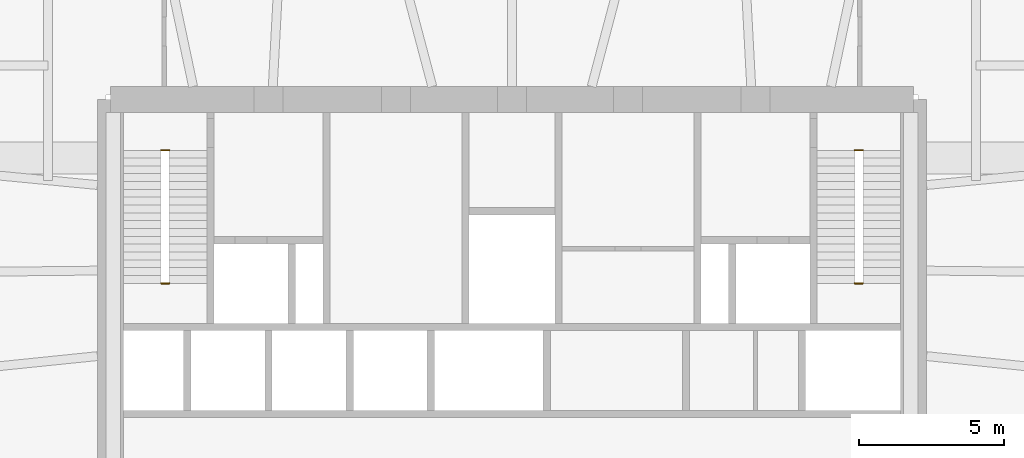
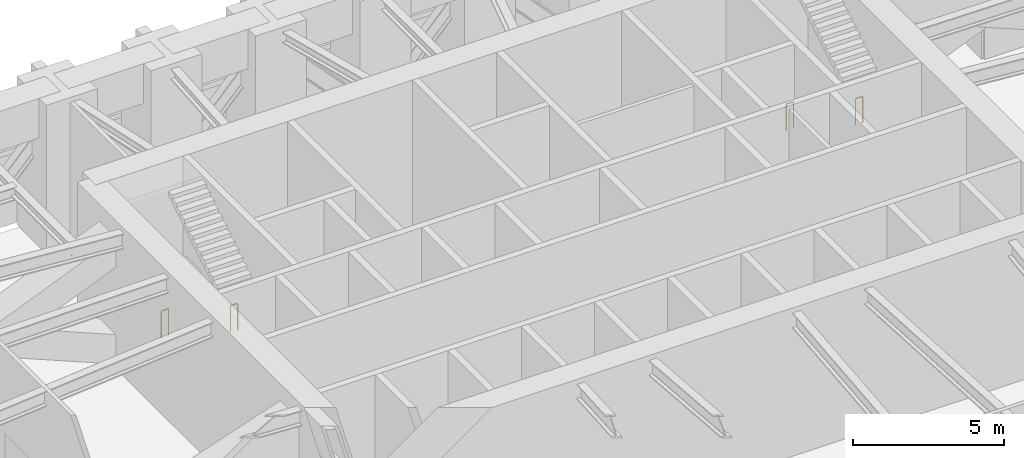
# One storey, part 9 of 9: 4 railings.
"""IFC4 building model written with IfcOpenShell, lengths in metres."""

from ifc_helpers import new_model, si_unit, direction, frame, origin, origin_2d, place, context, subcontext, project, spatial, circle, extrude, material, type_object, element, save


model = new_model("IFC4")

# Units and contexts
model_context = context("Model", 3, precision=1e-05, world=origin(), true_north=direction((0.0, 1.0)))
body_context = subcontext(model_context, "Body", "Model", "MODEL_VIEW")
ifc_project = project(units=[si_unit("LENGTHUNIT", "METRE"), si_unit("AREAUNIT", "SQUARE_METRE"), si_unit("VOLUMEUNIT", "CUBIC_METRE"), si_unit("PLANEANGLEUNIT", "RADIAN"), si_unit("MASSUNIT", "GRAM", prefix="KILO")], contexts=[model_context])

# Site, building, storey
site_placement = place(None, origin())
site = spatial("IfcSite", under=ifc_project, at=site_placement, CompositionType="ELEMENT")
building_placement = place(site_placement, origin())
building = spatial("IfcBuilding", under=site, at=building_placement, Name="Isbrekke Arena Tower", CompositionType="ELEMENT")
storey_placement = place(building_placement, frame((0.0, 0.0, 92.0)))
storey = spatial("IfcBuildingStorey", under=building, at=storey_placement, Name="L20", CompositionType="ELEMENT", Elevation=92.0)

# Railings
ifc_material = material(Name="Steel stair guard, vertical bars, steel handrail", Category="steel")
railing_type = type_object("IfcRailingType", Name="GR3 STAIR WELL GUARD 1100", PredefinedType="GUARDRAIL", material=ifc_material)
for number, where, name in (
    (1, (-12.10009765625, 22.10009765625, 0.0), "GR3 stair well guard ST1 L20"),
    (2, (-12.10009765625, 17.510009765625, 3.0), "GR3 stair well guard ST1 L20"),
    (3, (11.824951171875, 22.10009765625, 0.0), "GR3 stair well guard ST2 L20"),
    (4, (11.824951171875, 17.510009765625, 3.0), "GR3 stair well guard ST2 L20"),
):
    element("IfcRailing", number, at=place(storey_placement, frame(where)), inside=storey, type_object=railing_type, Name=name, PredefinedType="GUARDRAIL", context=body_context, shape_type="SweptSolid", body=[
        extrude(circle(Radius=0.02392578125, at=origin_2d()), frame((0.0, 0.0, 1.076171875), z_axis=(1.0, 0.0, 0.0), x_axis=(0.0, 1.0, 0.0)), (0.0, 0.0, 1.0), 0.275146484375),
        extrude(circle(Radius=0.02099609375, at=origin_2d()), origin(), (0.0, 0.0, 1.0), 1.052001953125),
        extrude(circle(Radius=0.02099609375, at=origin_2d()), frame((0.275146484375, 0.0, 0.0)), (0.0, 0.0, 1.0), 1.052001953125),
    ])

save(model, "model.ifc")
